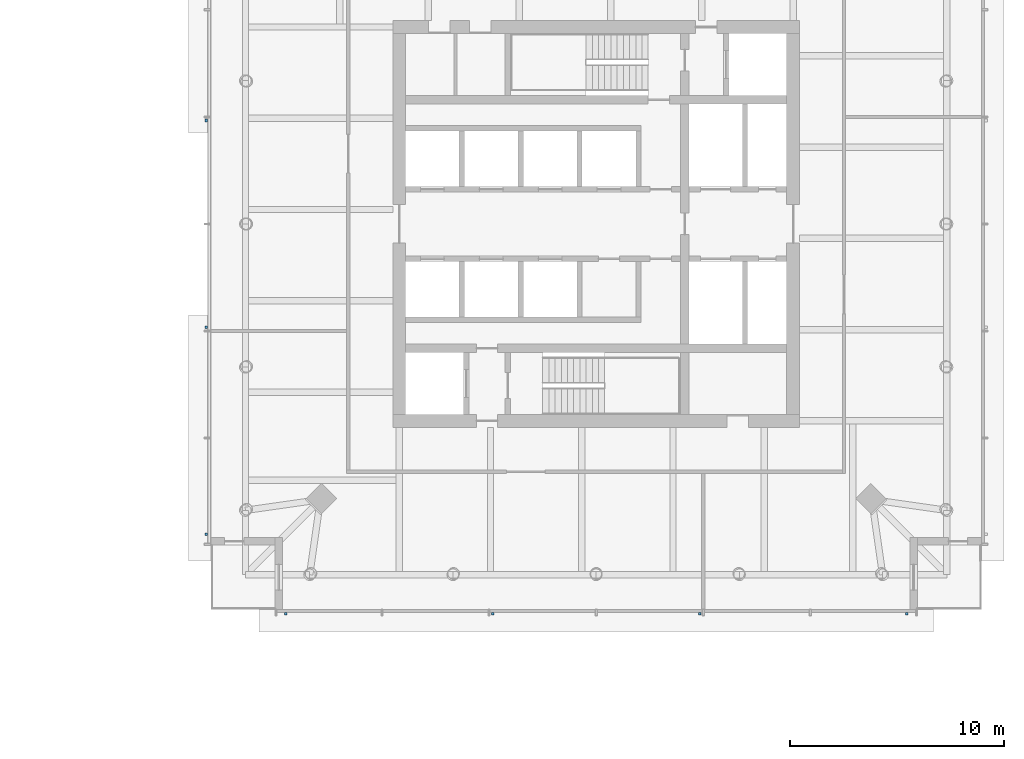
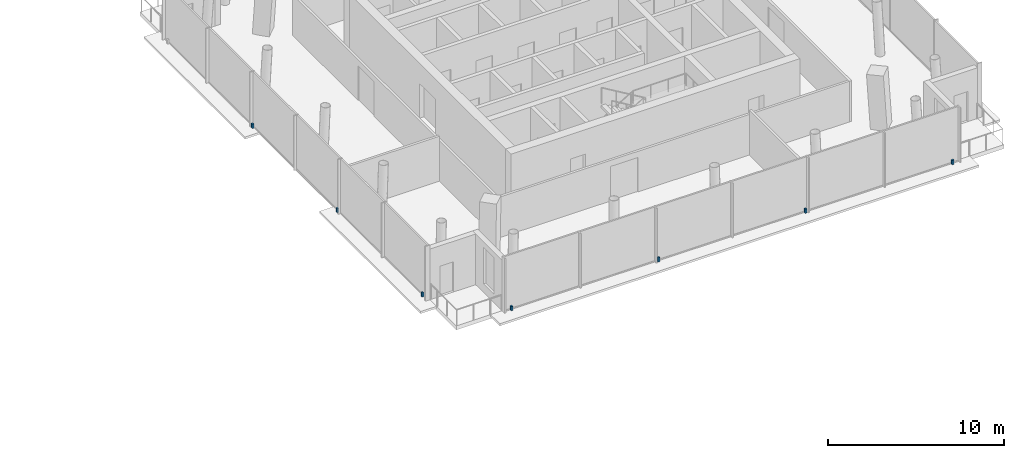
# One storey, part 21 of 28: 7 discrete accessories.
"""IFC4 building model written with IfcOpenShell, lengths in metres."""

from ifc_helpers import new_model, si_unit, direction, frame, origin, origin_2d, place, context, subcontext, project, spatial, rectangle, extrude, material, type_object, element, save


model = new_model("IFC4")

# Units and contexts
model_context = context("Model", 3, precision=1e-05, world=origin(), true_north=direction((0.0, 1.0)))
body_context = subcontext(model_context, "Body", "Model", "MODEL_VIEW")
ifc_project = project(units=[si_unit("LENGTHUNIT", "METRE"), si_unit("AREAUNIT", "SQUARE_METRE"), si_unit("VOLUMEUNIT", "CUBIC_METRE"), si_unit("PLANEANGLEUNIT", "RADIAN"), si_unit("MASSUNIT", "GRAM", prefix="KILO")], contexts=[model_context])

# Site, building, storey
site_placement = place(None, origin())
site = spatial("IfcSite", under=ifc_project, at=site_placement, CompositionType="ELEMENT")
building_placement = place(site_placement, origin())
building = spatial("IfcBuilding", under=site, at=building_placement, Name="Ostroluk Exchange", CompositionType="ELEMENT")
storey_placement = place(building_placement, frame((0.0, 0.0, 81.800048828125)))
storey = spatial("IfcBuildingStorey", under=building, at=storey_placement, Name="L20", CompositionType="ELEMENT", Elevation=81.800048828125)

# Discrete accessories
ifc_material = material(Name="Stainless steel", Category="steel")
discrete_accessory_type = type_object("IfcDiscreteAccessoryType", Name="Fall-arrest anchor PN-EN 795 type C", PredefinedType="USERDEFINED", material=ifc_material)
for number, where, z_axis, x_axis, name in (
    (1, (102.5, 27.7900390625, 0.0), (0.0, 0.0, 1.0), (1.0, 0.0, 0.0), "Fall-arrest anchor L20 south 1"),
    (2, (112.166748046875, 27.7900390625, 0.0), (0.0, 0.0, 1.0), (1.0, 0.0, 0.0), "Fall-arrest anchor L20 south 2"),
    (3, (121.833251953125, 27.7900390625, 0.0), (0.0, 0.0, 1.0), (1.0, 0.0, 0.0), "Fall-arrest anchor L20 south 3"),
    (4, (131.5, 27.7900390625, 0.0), (0.0, 0.0, 1.0), (1.0, 0.0, 0.0), "Fall-arrest anchor L20 south 4"),
    (5, (98.7900390625, 31.5, 0.0), (0.0, 0.0, 1.0), (1.0, 0.0, 0.0), "Fall-arrest anchor L20 west 1"),
    (6, (98.7900390625, 41.166748046875, 0.0), (0.0, 0.0, 1.0), (1.0, 0.0, 0.0), "Fall-arrest anchor L20 west 2"),
    (7, (98.7900390625, 50.833251953125, 0.0), (0.0, 0.0, 1.0), (1.0, 0.0, 0.0), "Fall-arrest anchor L20 west 3"),
):
    element("IfcDiscreteAccessory", number, at=place(storey_placement, frame(where, z_axis=z_axis, x_axis=x_axis)), inside=storey, type_object=discrete_accessory_type, Name=name, ObjectType="FALL ARREST ANCHOR", PredefinedType="USERDEFINED", context=body_context, shape_type="SweptSolid", body=[
        extrude(rectangle(XDim=0.1201171875, YDim=0.1201171875, at=origin_2d()), origin(), (0.0, 0.0, 1.0), 0.300048828125),
    ])

save(model, "model.ifc")
